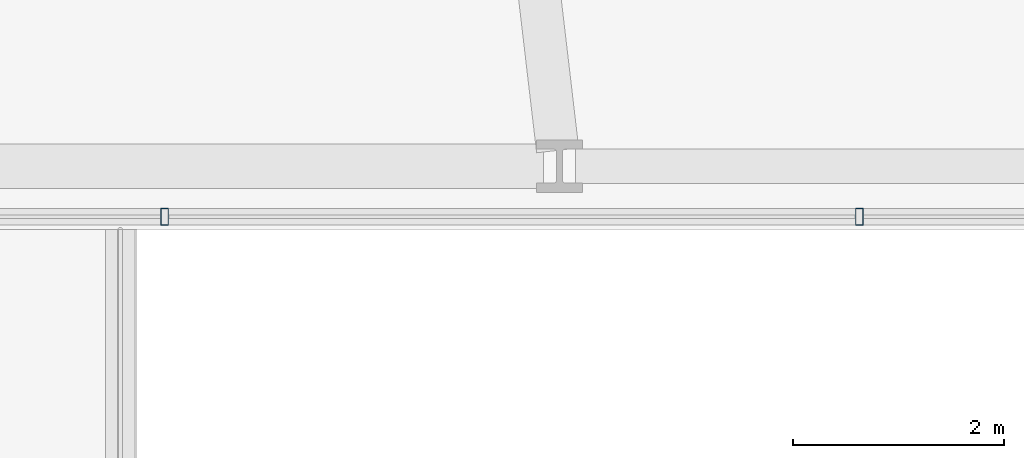
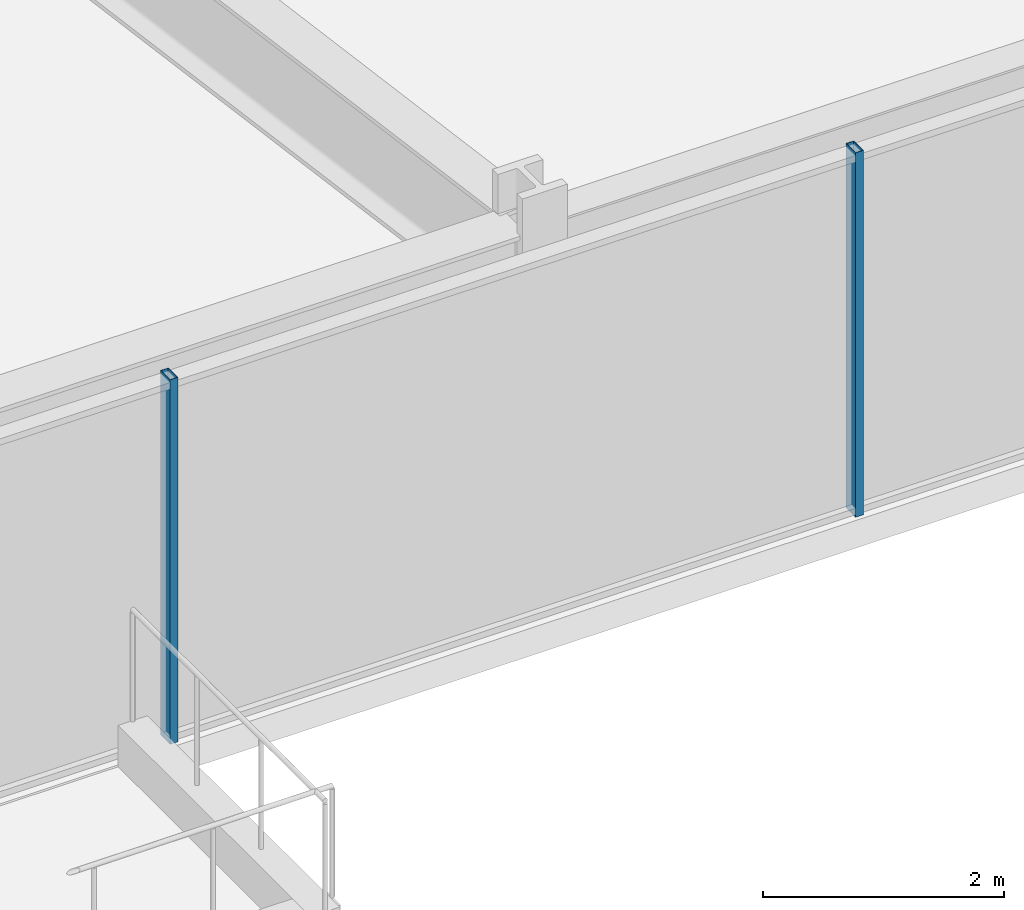
# One storey, part 13 of 39: 2 members, 1 element without a shape of its own.
"""IFC4 building model written with IfcOpenShell, lengths in metres."""

from ifc_helpers import new_model, si_unit, direction, frame, origin, origin_2d, place, context, subcontext, project, spatial, hollow_rectangle, extrude, material, material_profile, profile_set, type_object, element, aggregate, save


model = new_model("IFC4")

# Units and contexts
model_context = context("Model", 3, precision=1e-05, world=origin(), true_north=direction((0.0, 1.0)))
body_context = subcontext(model_context, "Body", "Model", "MODEL_VIEW")
ifc_project = project(units=[si_unit("LENGTHUNIT", "METRE"), si_unit("AREAUNIT", "SQUARE_METRE"), si_unit("VOLUMEUNIT", "CUBIC_METRE"), si_unit("PLANEANGLEUNIT", "RADIAN"), si_unit("MASSUNIT", "GRAM", prefix="KILO")], contexts=[model_context])

# Site, building, storey
site_placement = place(None, origin())
site = spatial("IfcSite", under=ifc_project, at=site_placement, CompositionType="ELEMENT")
building_placement = place(site_placement, origin())
building = spatial("IfcBuilding", under=site, at=building_placement, Name="Kolvaren Belvedere", CompositionType="ELEMENT")
storey_placement = place(building_placement, frame((0.0, 0.0, 15.199951171875)))
storey = spatial("IfcBuildingStorey", under=building, at=storey_placement, Name="L04", CompositionType="ELEMENT", Elevation=15.199951171875)

# Curtain wall, members
ifc_material_1 = material(Name="Anodised pale-metal aluminium AA 6063-T6", Category="aluminium")
curtain_wall_type = type_object("IfcCurtainWallType", Name="CW-POD-A", PredefinedType="NOTDEFINED", material=ifc_material_1)
curtain_wall_placement = place(storey_placement, origin())
curtain_wall = element("IfcCurtainWall", 1, at=curtain_wall_placement, inside=storey, type_object=curtain_wall_type, Name="L04 Unitised Curtain Wall FCW-L04-S1", PredefinedType="NOTDEFINED")
ifc_material_2 = material(Name="Anodised pale-metal aluminium AA 6063-T6", Category="aluminium")
ifc_material_profile = material_profile(ifc_material_2, hollow_rectangle(XDim=0.074951171875, YDim=0.159912109375, WallThickness=0.00439453125, at=origin_2d()), Name="ALU-MUL-160X75")
ifc_profile_set = profile_set([ifc_material_profile], Name="Anodised pale-metal aluminium AA 6063-T6")
member_type = type_object("IfcMemberType", Name="CW-MUL-160", PredefinedType="MULLION", material=ifc_profile_set)
member_1_placement = place(storey_placement, frame((14.840087890625, -28.280029296875, 0.0), z_axis=(0.0, 0.0, 1.0), x_axis=(1.0, 0.0, 0.0)))
member_1 = element("IfcMember", 2, at=member_1_placement, type_object=member_type, Name="FCW-L04-S1 Unitised Mullion 3", PredefinedType="MULLION", context=body_context, shape_type="SweptSolid", body=[
    extrude(hollow_rectangle(XDim=0.074951171875, YDim=0.159912109375, WallThickness=0.00439453125, at=origin_2d()), origin(), (0.0, 0.0, 1.0), 3.699951171875),
])
member_2_placement = place(storey_placement, frame((8.260009765625, -28.280029296875, 0.0), z_axis=(0.0, 0.0, 1.0), x_axis=(1.0, 0.0, 0.0)))
member_2 = element("IfcMember", 3, at=member_2_placement, type_object=member_type, Name="FCW-L04-S1 Unitised Mullion 4", PredefinedType="MULLION", context=body_context, shape_type="SweptSolid", body=[
    extrude(hollow_rectangle(XDim=0.074951171875, YDim=0.159912109375, WallThickness=0.00439453125, at=origin_2d()), origin(), (0.0, 0.0, 1.0), 3.699951171875),
])
aggregate(curtain_wall, [member_1, member_2])

save(model, "model.ifc")
